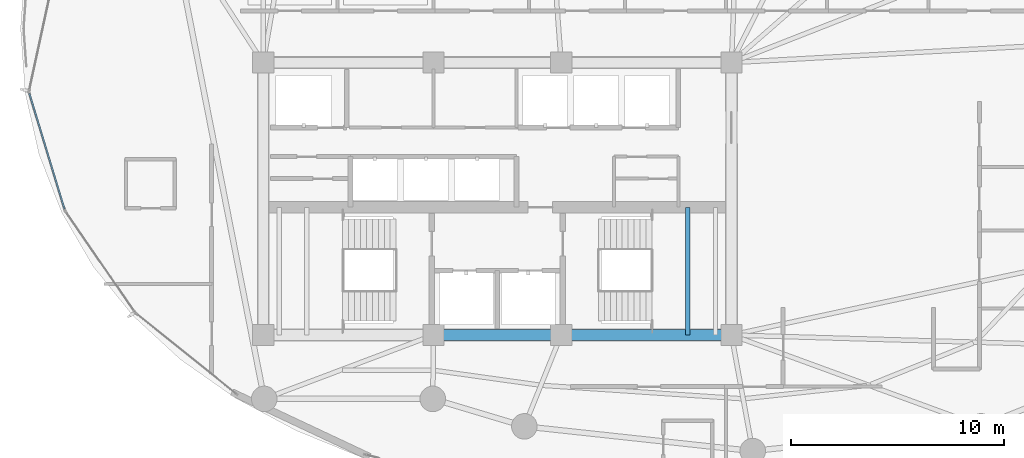
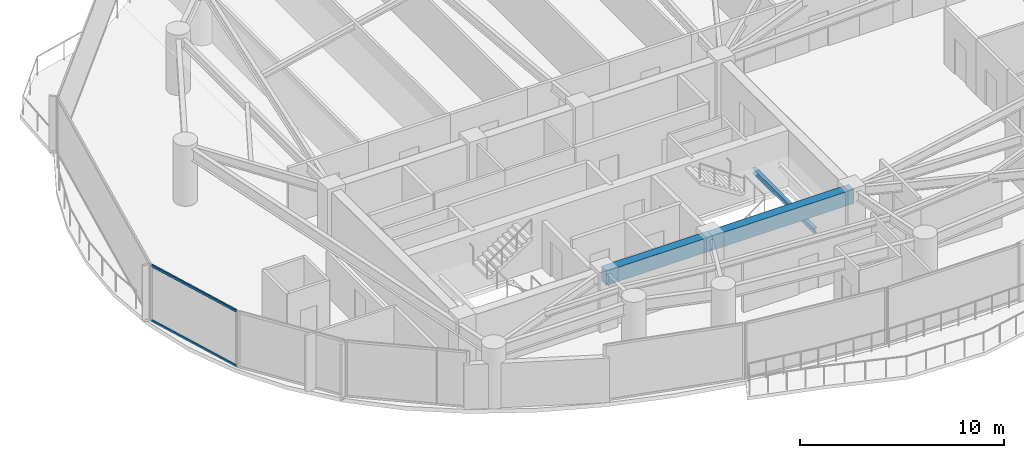
# One storey, part 7 of 34: 3 beams, 2 members, 1 element without a shape of its own.
"""IFC4 building model written with IfcOpenShell, lengths in metres."""

import ifcopenshell
import ifcopenshell.guid

model = None  # the IFC model being written
_history = None  # IfcOwnerHistory: only IFC2X3 demands one
_inside = {}  # id of a spatial element -> (the spatial element, [elements in it])
_under = {}  # id of a project, library or spatial element -> (it, [spatial elements below it])
_declared = {}  # id of a project -> (the project, [libraries it declares])
_typed = {}  # id of a type object -> (the type object, [elements of that type])
_made_of = {}  # id of a material, layer set ... -> (it, [elements and type objects made of it])


def new_model(schema):
    """Start an empty IFC model of exactly this schema.

    Asked for "IFC4X3", IfcOpenShell would pick the latest addendum, in which some entities
    have other attributes; the version numbers below select the first issue.
    IFC2X3 requires an IfcOwnerHistory on every rooted entity: one is made here for all.
    """
    global model, _history
    if schema == "IFC4X3":
        model = ifcopenshell.file(schema_version=(4, 3, 0, 0))
    else:
        model = ifcopenshell.file(schema=schema)
    _inside.clear()
    _under.clear()
    _declared.clear()
    _typed.clear()
    _made_of.clear()
    _history = None
    if model.schema == "IFC2X3":
        org = make("IfcOrganization", Name="unknown")
        user = make(
            "IfcPersonAndOrganization",
            ThePerson=make("IfcPerson", FamilyName="unknown"),
            TheOrganization=org,
        )
        app = make(
            "IfcApplication",
            ApplicationDeveloper=org,
            Version="unknown",
            ApplicationFullName="unknown",
            ApplicationIdentifier="unknown",
        )
        _history = make(
            "IfcOwnerHistory",
            OwningUser=user,
            OwningApplication=app,
            ChangeAction="ADDED",
            CreationDate=0,
        )
    return model


def make(cls, **values):
    """One entity of the class cls with the attributes given. An attribute that is None is left unset."""
    return model.create_entity(
        cls, **{name: value for name, value in values.items() if value is not None}
    )


def rooted(cls, **values):
    """An entity with a GlobalId (a new one), such as an element, a storey or a relation."""
    return make(cls, GlobalId=ifcopenshell.guid.new(), OwnerHistory=_history, **values)


def si_unit(unit_type, name, prefix=None):
    """IfcSIUnit, for example si_unit("LENGTHUNIT", "METRE", prefix="MILLI")."""
    return make("IfcSIUnit", UnitType=unit_type, Prefix=prefix, Name=name)


def assignment(units):
    """IfcUnitAssignment: the units of a project."""
    return None if units is None else make("IfcUnitAssignment", Units=units)


def point(xyz):
    """IfcCartesianPoint."""
    return None if xyz is None else make("IfcCartesianPoint", Coordinates=xyz)


def direction(xyz):
    """IfcDirection."""
    return None if xyz is None else make("IfcDirection", DirectionRatios=xyz)


def frame(location, z_axis=None, x_axis=None):
    """IfcAxis2Placement3D, a coordinate frame: its origin and axes. An axis left out is left unset."""
    return make(
        "IfcAxis2Placement3D",
        Location=point(location),
        Axis=direction(z_axis),
        RefDirection=direction(x_axis),
    )


def frame_2d(location, x_axis=None):
    """IfcAxis2Placement2D, a coordinate frame in the plane: its origin and x axis."""
    return make(
        "IfcAxis2Placement2D", Location=point(location), RefDirection=direction(x_axis)
    )


def origin():
    """The frame at (0, 0, 0) with its axes left unset."""
    return frame((0.0, 0.0, 0.0))


def origin_2d():
    """The frame at (0, 0) in the plane with its x axis left unset."""
    return frame_2d((0.0, 0.0))


def place(relative_to, where):
    """IfcLocalPlacement: puts the frame where relative to a parent placement (None: the world)."""
    return make(
        "IfcLocalPlacement", PlacementRelTo=relative_to, RelativePlacement=where
    )


def context(
    kind, dimensions, precision=None, world=None, true_north=None, identifier=None
):
    """IfcGeometricRepresentationContext, for example the 3D "Model" context."""
    return make(
        "IfcGeometricRepresentationContext",
        ContextIdentifier=identifier,
        ContextType=kind,
        CoordinateSpaceDimension=dimensions,
        Precision=precision,
        WorldCoordinateSystem=world,
        TrueNorth=true_north,
    )


def subcontext(parent, identifier, kind, view, scale=None):
    """IfcGeometricRepresentationSubContext, for example "Body" below "Model"."""
    return make(
        "IfcGeometricRepresentationSubContext",
        ContextIdentifier=identifier,
        ContextType=kind,
        ParentContext=parent,
        TargetScale=scale,
        TargetView=view,
    )


def project(units=None, contexts=None):
    """IfcProject with its units and contexts."""
    return rooted(
        "IfcProject",
        Name="project",
        RepresentationContexts=contexts,
        UnitsInContext=assignment(units),
    )


def spatial(cls, under=None, at=None, **own):
    """A site, building, storey or space (cls), placed at a placement, below another one or the project."""
    s = rooted(cls, ObjectPlacement=at, **own)
    if under is not None:
        _under.setdefault(under.id(), (under, []))[1].append(s)
    return s


def profile(cls, at=None, kind="AREA", **sizes):
    """A parametric profile (cls). Its sizes go by their IFC names, for example OverallWidth=200.0."""
    return make(cls, ProfileType=kind, Position=at, **sizes)


def rectangle(**sizes):
    """IfcRectangleProfileDef."""
    return profile("IfcRectangleProfileDef", **sizes)


def hollow_rectangle(**sizes):
    """IfcRectangleHollowProfileDef."""
    return profile("IfcRectangleHollowProfileDef", **sizes)


def i_section(**sizes):
    """IfcIShapeProfileDef."""
    return profile("IfcIShapeProfileDef", **sizes)


def extrude(swept, where, along, depth):
    """IfcExtrudedAreaSolid: the profile swept, set in the frame where, extruded along a direction by depth."""
    return make(
        "IfcExtrudedAreaSolid",
        SweptArea=swept,
        Position=where,
        ExtrudedDirection=direction(along),
        Depth=depth,
    )


def shape(context_of_items, identifier, shape_type, items):
    """IfcShapeRepresentation: the items that make up one representation, for example the "Body"."""
    return make(
        "IfcShapeRepresentation",
        ContextOfItems=context_of_items,
        RepresentationIdentifier=identifier,
        RepresentationType=shape_type,
        Items=items,
    )


def material(Name=None, Category=None):
    """IfcMaterial."""
    return make("IfcMaterial", Name=Name, Category=Category)


def layer(
    of_material, thickness, ventilated=None, Name=None, Category=None, Priority=None
):
    """IfcMaterialLayer: one layer of a wall or slab, of a material (None: an air gap)."""
    return make(
        "IfcMaterialLayer",
        Material=of_material,
        LayerThickness=thickness,
        IsVentilated=ventilated,
        Name=Name,
        Category=Category,
        Priority=Priority,
    )


def layer_set(layers, Name=None):
    """IfcMaterialLayerSet."""
    return make("IfcMaterialLayerSet", MaterialLayers=layers, LayerSetName=Name)


def material_profile(
    of_material, cross_section, Name=None, Category=None, Priority=None
):
    """IfcMaterialProfile: a cross section and its material."""
    return make(
        "IfcMaterialProfile",
        Name=Name,
        Material=of_material,
        Profile=cross_section,
        Priority=Priority,
        Category=Category,
    )


def profile_set(profiles, Name=None, composite=None):
    """IfcMaterialProfileSet."""
    return make(
        "IfcMaterialProfileSet",
        Name=Name,
        MaterialProfiles=profiles,
        CompositeProfile=composite,
    )


def made_of(thing, what):
    """Note that an element or type object is made of a material, layer set ...; save() writes the relation."""
    if what is not None:
        _made_of.setdefault(what.id(), (what, []))[1].append(thing)
    return thing


def type_object(cls, material=None, **own):
    """A type object (cls), such as IfcWallType, which elements share."""
    return made_of(rooted(cls, **own), material)


def element(
    cls,
    number,
    at=None,
    inside=None,
    cuts=None,
    type_object=None,
    material=None,
    context=None,
    identifier="Body",
    shape_type=None,
    held_by="IfcProductDefinitionShape",
    body=None,
    shapes=None,
    **own,
):
    """One element of the class cls, such as IfcWall. Its Tag is "e" and its number.

    at: its placement. inside: the storey or other place that contains it. cuts: it is an
    opening in that element (IfcRelVoidsElement). A single representation is given by context,
    identifier, shape_type and body (its items); several are given by shapes. held_by: the class
    of the entity that holds the representations. save() writes the other relations.
    """
    e = rooted(cls, Tag="e%d" % number, ObjectPlacement=at, **own)
    if body is not None:
        shapes = [shape(context, identifier, shape_type, body)]
    if shapes is not None:
        e.Representation = make(held_by, Representations=shapes)
    if inside is not None:
        _inside.setdefault(inside.id(), (inside, []))[1].append(e)
    if cuts is not None:
        rooted(
            "IfcRelVoidsElement", RelatingBuildingElement=cuts, RelatedOpeningElement=e
        )
    if type_object is not None:
        _typed.setdefault(type_object.id(), (type_object, []))[1].append(e)
    return made_of(e, material)


def aggregate(whole, parts):
    """IfcRelAggregates: a whole, such as a stair, and the parts it consists of."""
    return rooted("IfcRelAggregates", RelatingObject=whole, RelatedObjects=parts)


def save(model, path):
    """Write the relations noted so far, then the file.

    IfcRelAggregates (storeys below a building ...), IfcRelContainedInSpatialStructure (elements
    in a storey), IfcRelDefinesByType, IfcRelAssociatesMaterial and IfcRelDeclares: one each for
    every whole, place, type object, material and project.
    """
    for whole, parts in _under.values():
        aggregate(whole, parts)
    for where, things in _inside.values():
        rooted(
            "IfcRelContainedInSpatialStructure",
            RelatedElements=things,
            RelatingStructure=where,
        )
    for kind, things in _typed.values():
        rooted("IfcRelDefinesByType", RelatedObjects=things, RelatingType=kind)
    for what, things in _made_of.values():
        rooted("IfcRelAssociatesMaterial", RelatedObjects=things, RelatingMaterial=what)
    for by, libraries in _declared.values():
        rooted("IfcRelDeclares", RelatingContext=by, RelatedDefinitions=libraries)
    model.write(path)


model = new_model("IFC4")

# Units and contexts
model_context = context("Model", 3, precision=1e-05, world=origin(), true_north=direction((0.0, 1.0)))
body_context = subcontext(model_context, "Body", "Model", "MODEL_VIEW")
ifc_project = project(units=[si_unit("LENGTHUNIT", "METRE"), si_unit("AREAUNIT", "SQUARE_METRE"), si_unit("VOLUMEUNIT", "CUBIC_METRE"), si_unit("PLANEANGLEUNIT", "RADIAN"), si_unit("MASSUNIT", "GRAM", prefix="KILO")], contexts=[model_context])

# Site, building, storey
site_placement = place(None, origin())
site = spatial("IfcSite", under=ifc_project, at=site_placement, CompositionType="ELEMENT")
building_placement = place(site_placement, origin())
building = spatial("IfcBuilding", under=site, at=building_placement, Name="Kazevale Care Tower and Concert Hall", CompositionType="ELEMENT")
storey_placement = place(building_placement, frame((0.0, 0.0, 174.60009765625)))
storey = spatial("IfcBuildingStorey", under=building, at=storey_placement, Name="L46", CompositionType="ELEMENT", Elevation=174.60009765625)

# Curtain wall, members
ifc_material_1 = material(Name="Aluminium 6063-T6 and Low-E Glass", Category="aluminium")
ifc_layer = layer(ifc_material_1, 0.179931640625)
ifc_layer_set = layer_set([ifc_layer], Name="Aluminium 6063-T6 and Low-E Glass")
curtain_wall_type = type_object("IfcCurtainWallType", Name="Waist & Upper Residential Curtain Wall CW-4", PredefinedType="NOTDEFINED", material=ifc_layer_set)
curtain_wall_placement = place(storey_placement, origin())
curtain_wall = element("IfcCurtainWall", 1, at=curtain_wall_placement, inside=storey, type_object=curtain_wall_type, Name="cw:L46:f12", PredefinedType="NOTDEFINED")
ifc_material_2 = material(Name="Aluminium 6063-T6", Category="aluminium")
ifc_material_profile_1 = material_profile(ifc_material_2, hollow_rectangle(XDim=0.080078125, YDim=0.139892578125, WallThickness=0.00390625, at=origin_2d()), Name="ALU80x140x4")
ifc_profile_set_1 = profile_set([ifc_material_profile_1], Name="Aluminium 6063-T6")
member_type = type_object("IfcMemberType", Name="CW-4 Transom ALU80x140x4", PredefinedType="USERDEFINED", material=ifc_profile_set_1)
member_1_placement = place(storey_placement, frame((12.669677734375, 29.517578125, 0.039794921875), z_axis=(-0.290964759976, 0.956733770937, 0.0), x_axis=(-0.956733770937, -0.290964759976, 0.0)))
member_1 = element("IfcMember", 2, at=member_1_placement, type_object=member_type, Name="CW-4 transom 1.1", ObjectType="TRANSOM", PredefinedType="USERDEFINED", context=body_context, shape_type="SweptSolid", body=[
    extrude(hollow_rectangle(XDim=0.080078125, YDim=0.139892578125, WallThickness=0.00390625, at=origin_2d()), origin(), (0.0, 0.0, 1.0), 5.675537109375),
])
member_2_placement = place(storey_placement, frame((12.669677734375, 29.517578125, 3.31982421875), z_axis=(-0.290964759976, 0.956733770937, 0.0), x_axis=(-0.956733770937, -0.290964759976, 0.0)))
member_2 = element("IfcMember", 3, at=member_2_placement, type_object=member_type, Name="CW-4 transom 1.2", ObjectType="TRANSOM", PredefinedType="USERDEFINED", context=body_context, shape_type="SweptSolid", body=[
    extrude(hollow_rectangle(XDim=0.080078125, YDim=0.139892578125, WallThickness=0.00390625, at=origin_2d()), origin(), (0.0, 0.0, 1.0), 5.675537109375),
])
aggregate(curtain_wall, [member_1, member_2])

# Beams
ifc_material_3 = material(Name="Concrete C60", Category="concrete")
ifc_material_profile_2 = material_profile(ifc_material_3, rectangle(XDim=0.5, YDim=0.85009765625, at=origin_2d()), Name="RC-B500x850")
ifc_profile_set_2 = profile_set([ifc_material_profile_2], Name="Concrete C60")
beam_type_1 = type_object("IfcBeamType", Name="Core Coupling Beam RC500x850", PredefinedType="LINTEL", material=ifc_profile_set_2)
beam_1_placement = place(storey_placement, frame((30.0, 23.60009765625, 2.934814453125), z_axis=(1.0, 0.0, 0.0), x_axis=(0.0, 1.0, 0.0)))
element("IfcBeam", 4, at=beam_1_placement, inside=storey, type_object=beam_type_1, Name="beam:L46:coretie:2", PredefinedType="LINTEL", context=body_context, shape_type="SweptSolid", body=[
    extrude(rectangle(XDim=0.5, YDim=0.85009765625, at=origin_2d()), origin(), (0.0, 0.0, 1.0), 6.0),
])
beam_2_placement = place(storey_placement, frame((36.0, 23.60009765625, 2.934814453125), z_axis=(1.0, 0.0, 0.0), x_axis=(0.0, 1.0, 0.0)))
element("IfcBeam", 5, at=beam_2_placement, inside=storey, type_object=beam_type_1, Name="beam:L46:coretie:3", PredefinedType="LINTEL", context=body_context, shape_type="SweptSolid", body=[
    extrude(rectangle(XDim=0.5, YDim=0.85009765625, at=origin_2d()), origin(), (0.0, 0.0, 1.0), 8.0),
])
ifc_material_4 = material(Name="Steel ASTM A572 Gr 50", Category="steel")
ifc_material_profile_3 = material_profile(ifc_material_4, i_section(OverallWidth=0.202880859375, OverallDepth=0.302978515625, WebThickness=0.007568359375, FlangeThickness=0.01318359375, at=origin_2d()), Name="W310x60")
ifc_profile_set_3 = profile_set([ifc_material_profile_3], Name="Steel ASTM A572 Gr 50")
beam_type_2 = type_object("IfcBeamType", Name="Stair & Balcony Trimmer W310x60", PredefinedType="BEAM", material=ifc_profile_set_3)
beam_3_placement = place(storey_placement, frame((41.949951171875, 23.60009765625, 1.448486328125), z_axis=(0.0, 1.0, 0.0), x_axis=(-1.0, 0.0, 0.0)))
element("IfcBeam", 6, at=beam_3_placement, inside=storey, type_object=beam_type_2, Name="beam:L46:sttrim:ST2", PredefinedType="BEAM", context=body_context, shape_type="SweptSolid", body=[
    extrude(i_section(OverallWidth=0.202880859375, OverallDepth=0.302978515625, WebThickness=0.007568359375, FlangeThickness=0.01318359375, at=origin_2d()), origin(), (0.0, 0.0, 1.0), 6.0),
])

save(model, "model.ifc")
